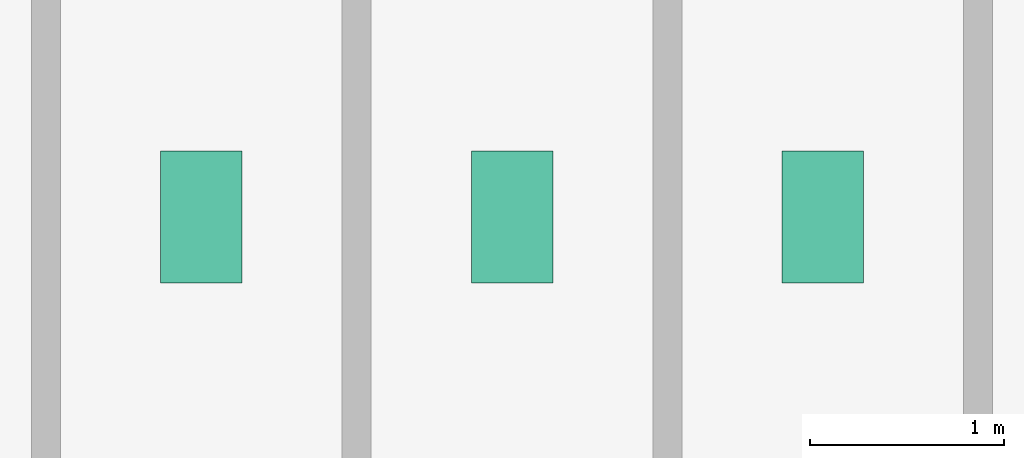
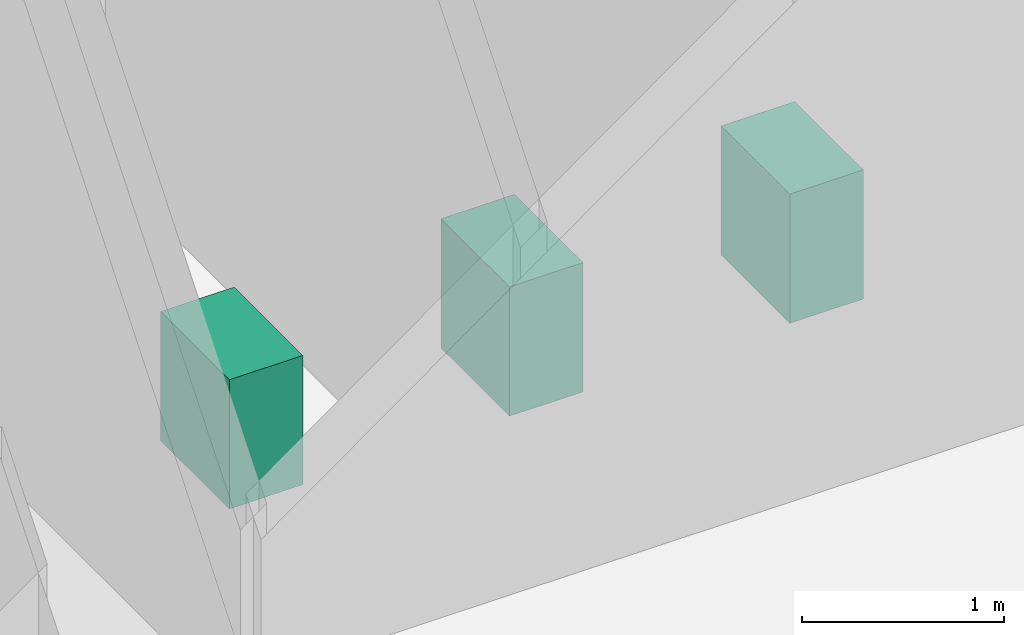
# One storey, part 25 of 25: 3 sanitary terminals.
"""IFC4 building model written with IfcOpenShell, lengths in metres."""

from ifc_helpers import new_model, si_unit, derived_unit, direction, frame, origin, origin_2d, place, context, subcontext, project, spatial, rectangle, extrude, source, transform, mapped, material, type_object, element, save


model = new_model("IFC4")

# Units and contexts
model_context = context("Model", 3, precision=1e-05, world=origin(), true_north=direction((0.0, 1.0)))
body_context = subcontext(model_context, "Body", "Model", "MODEL_VIEW")
ifc_project = project(units=[si_unit("LENGTHUNIT", "METRE"), si_unit("AREAUNIT", "SQUARE_METRE"), si_unit("VOLUMEUNIT", "CUBIC_METRE"), si_unit("PLANEANGLEUNIT", "RADIAN"), si_unit("MASSUNIT", "GRAM", prefix="KILO"), derived_unit("THERMALTRANSMITTANCEUNIT", [(si_unit("POWERUNIT", "WATT"), 1), (si_unit("LENGTHUNIT", "METRE"), -2), (si_unit("THERMODYNAMICTEMPERATUREUNIT", "KELVIN"), -1)])], contexts=[model_context])

# Site, building, storey
site_placement = place(None, origin())
site = spatial("IfcSite", under=ifc_project, at=site_placement, CompositionType="ELEMENT")
building_placement = place(site_placement, origin())
building = spatial("IfcBuilding", under=site, at=building_placement, Name="Skarnbrae Concourse Arena and Tower", CompositionType="ELEMENT")
storey_placement = place(building_placement, frame((0.0, 0.0, 151.550048828125)))
storey = spatial("IfcBuildingStorey", under=building, at=storey_placement, Name="L38", CompositionType="ELEMENT", Elevation=151.550048828125)

# Sanitary terminals
ifc_material = material(Name="Vitreous china sanitaryware", Category="other")
sanitary_terminal_type = type_object("IfcSanitaryTerminalType", Name="SAN-WC-VITREOUS", PredefinedType="TOILETPAN", material=ifc_material)
shared_shape = source(origin(), body_context, "Body", "SweptSolid", [
    extrude(rectangle(XDim=0.419921875, YDim=0.679931640625, at=origin_2d()), origin(), (0.0, 0.0, 1.0), 0.780029296875),
])
for number, where, z_axis, x_axis, name in (
    (1, (35.0, 11.39990234375, 0.0), (0.0, 0.0, 1.0), (1.0, 0.0, 0.0), "L38 Washroom WC fixture 1"),
    (2, (36.60009765625, 11.39990234375, 0.0), (0.0, 0.0, 1.0), (1.0, 0.0, 0.0), "L38 Washroom WC fixture 2"),
    (3, (38.199951171875, 11.39990234375, 0.0), (0.0, 0.0, 1.0), (1.0, 0.0, 0.0), "L38 Washroom WC fixture 3"),
):
    element("IfcSanitaryTerminal", number, at=place(storey_placement, frame(where, z_axis=z_axis, x_axis=x_axis)), inside=storey, type_object=sanitary_terminal_type, Name=name, PredefinedType="TOILETPAN", context=body_context, shape_type="MappedRepresentation", body=[
        mapped(shared_shape, transform((0.0, 0.0, 0.0))),
    ])

save(model, "model.ifc")
